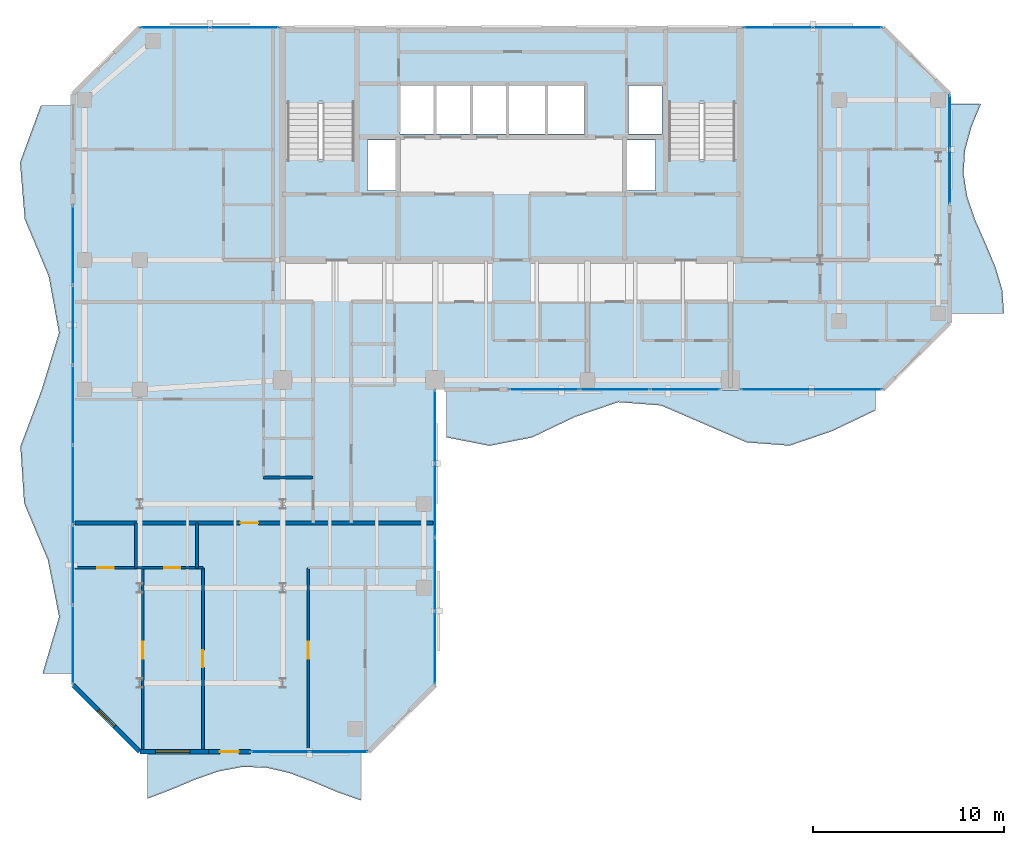
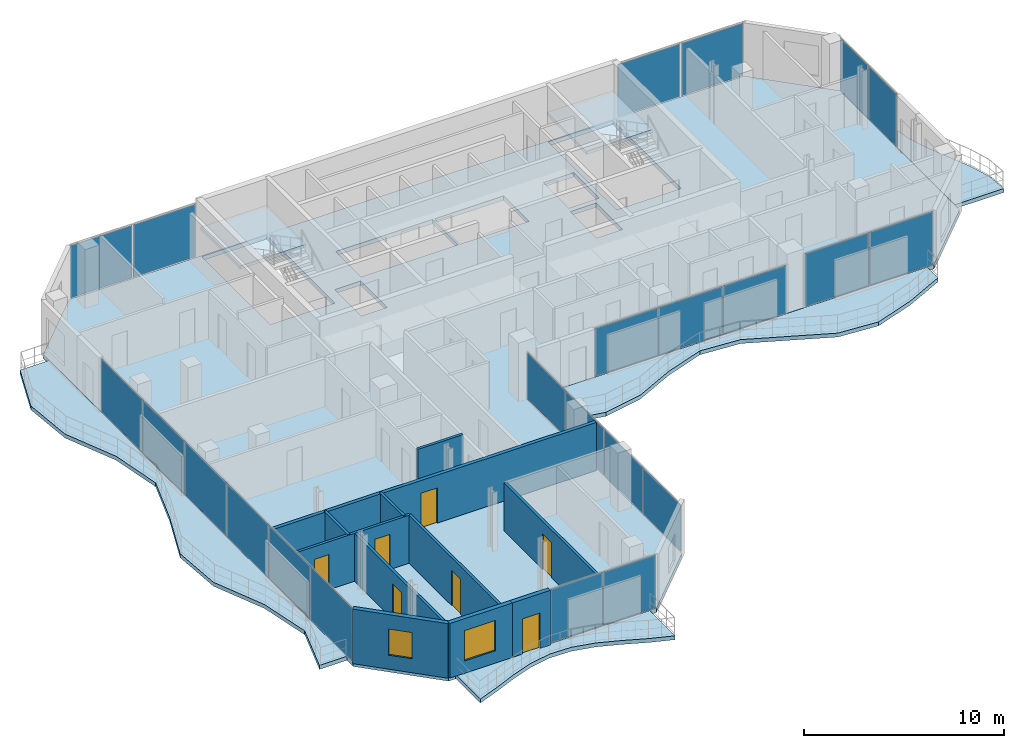
# One storey, part 17 of 24: 23 plates, 11 walls, 7 doors, 7 slabs, 2 windows, 9 openings, 10 elements without a shape of their own.
"""IFC4 building model written with IfcOpenShell, lengths in metres."""

from ifc_helpers import new_model, si_unit, direction, frame, frame_2d, origin, origin_2d, place, context, subcontext, project, spatial, polyline, rectangle, outline, extrude, material, layer, layer_set, type_object, element, fill, aggregate, save


model = new_model("IFC4")

# Units and contexts
model_context = context("Model", 3, precision=1e-05, world=origin(), true_north=direction((0.0, 1.0)))
body_context = subcontext(model_context, "Body", "Model", "MODEL_VIEW")
ifc_project = project(units=[si_unit("LENGTHUNIT", "METRE"), si_unit("AREAUNIT", "SQUARE_METRE"), si_unit("VOLUMEUNIT", "CUBIC_METRE"), si_unit("PLANEANGLEUNIT", "RADIAN"), si_unit("MASSUNIT", "GRAM", prefix="KILO")], contexts=[model_context])

# Site, building, storey
site_placement = place(None, origin())
site = spatial("IfcSite", under=ifc_project, at=site_placement, CompositionType="ELEMENT")
building_placement = place(site_placement, origin())
building = spatial("IfcBuilding", under=site, at=building_placement, Name="Catumbela Crestline Tower", CompositionType="ELEMENT")
storey_placement = place(building_placement, frame((0.0, 0.0, 157.8)))
storey = spatial("IfcBuildingStorey", under=building, at=storey_placement, Name="L40", CompositionType="ELEMENT", Elevation=157.8)

# Curtain wall, plates
ifc_material_1 = material(Name="Aluminium alloy AW-6060-T66", Category="aluminium")
ifc_layer_1 = layer(ifc_material_1, 0.18, Name="Aluminium alloy AW-6060-T66")
ifc_layer_set_1 = layer_set([ifc_layer_1], Name="Aluminium alloy AW-6060-T66")
curtain_wall_type = type_object("IfcCurtainWallType", Name="CWU-Z3", PredefinedType="USERDEFINED", material=ifc_layer_set_1)
curtain_wall_1_placement = place(storey_placement, origin())
curtain_wall_1 = element("IfcCurtainWall", 1, at=curtain_wall_1_placement, inside=storey, type_object=curtain_wall_type, Name="L40 Unitised Curtain Wall CW-L40-E0S2", ObjectType="UNITISED", PredefinedType="USERDEFINED")
ifc_material_2 = material(Name="Low-E laminated solar-control double glazing", Category="glass")
ifc_layer_2 = layer(ifc_material_2, 0.036, Name="Low-E laminated solar-control double glazing")
ifc_layer_set_2 = layer_set([ifc_layer_2], Name="Low-E laminated solar-control double glazing")
plate_type = type_object("IfcPlateType", Name="PNL-GLZ-Z3", PredefinedType="CURTAIN_PANEL", material=ifc_layer_set_2)
plate_1_placement = place(storey_placement, frame((15.8662, 5.0, 0.06), z_axis=(0.0, 0.0, 1.0), x_axis=(1.0, 0.0, 0.0)))
plate_1 = element("IfcPlate", 2, at=plate_1_placement, type_object=plate_type, Name="CWU-Z3 panel 1.1", PredefinedType="CURTAIN_PANEL", context=body_context, shape_type="SweptSolid", body=[
    extrude(rectangle(XDim=3.0025, YDim=0.034, at=origin_2d()), origin(), (0.0, 0.0, 1.0), 3.21),
])
plate_2_placement = place(storey_placement, frame((18.9338, 5.0, 0.06), z_axis=(0.0, 0.0, 1.0), x_axis=(1.0, 0.0, 0.0)))
plate_2 = element("IfcPlate", 3, at=plate_2_placement, type_object=plate_type, Name="CWU-Z3 panel 2.1", PredefinedType="CURTAIN_PANEL", context=body_context, shape_type="SweptSolid", body=[
    extrude(rectangle(XDim=3.0025, YDim=0.034, at=origin_2d()), origin(), (0.0, 0.0, 1.0), 3.21),
])
aggregate(curtain_wall_1, [plate_1, plate_2])

curtain_wall_2_placement = place(storey_placement, origin())
curtain_wall_2 = element("IfcCurtainWall", 4, at=curtain_wall_2_placement, inside=storey, type_object=curtain_wall_type, Name="L40 Unitised Curtain Wall CW-L40-E2S1", ObjectType="UNITISED", PredefinedType="USERDEFINED")
plate_3_placement = place(storey_placement, frame((24.0, 10.4538, 0.06), z_axis=(0.0, 0.0, 1.0), x_axis=(0.0, 1.0, 0.0)))
plate_3 = element("IfcPlate", 5, at=plate_3_placement, type_object=plate_type, Name="CWU-Z3 panel 1.1", PredefinedType="CURTAIN_PANEL", context=body_context, shape_type="SweptSolid", body=[
    extrude(rectangle(XDim=3.7775, YDim=0.034, at=origin_2d()), origin(), (0.0, 0.0, 1.0), 2.81),
])
plate_4_placement = place(storey_placement, frame((24.0, 14.3125, 0.06), z_axis=(0.0, 0.0, 1.0), x_axis=(0.0, 1.0, 0.0)))
plate_4 = element("IfcPlate", 6, at=plate_4_placement, type_object=plate_type, Name="CWU-Z3 panel 2.1", PredefinedType="CURTAIN_PANEL", context=body_context, shape_type="SweptSolid", body=[
    extrude(rectangle(XDim=3.81, YDim=0.034, at=origin_2d()), origin(), (0.0, 0.0, 1.0), 2.81),
])
plate_5_placement = place(storey_placement, frame((24.0, 18.1875, 0.06), z_axis=(0.0, 0.0, 1.0), x_axis=(0.0, 1.0, 0.0)))
plate_5 = element("IfcPlate", 7, at=plate_5_placement, type_object=plate_type, Name="CWU-Z3 panel 3.1", PredefinedType="CURTAIN_PANEL", context=body_context, shape_type="SweptSolid", body=[
    extrude(rectangle(XDim=3.81, YDim=0.034, at=origin_2d()), origin(), (0.0, 0.0, 1.0), 2.81),
])
plate_6_placement = place(storey_placement, frame((24.0, 22.0462, 0.06), z_axis=(0.0, 0.0, 1.0), x_axis=(0.0, 1.0, 0.0)))
plate_6 = element("IfcPlate", 8, at=plate_6_placement, type_object=plate_type, Name="CWU-Z3 panel 4.1", PredefinedType="CURTAIN_PANEL", context=body_context, shape_type="SweptSolid", body=[
    extrude(rectangle(XDim=3.7775, YDim=0.034, at=origin_2d()), origin(), (0.0, 0.0, 1.0), 2.81),
])
aggregate(curtain_wall_2, [plate_3, plate_4, plate_5, plate_6])

curtain_wall_3_placement = place(storey_placement, origin())
curtain_wall_3 = element("IfcCurtainWall", 9, at=curtain_wall_3_placement, inside=storey, type_object=curtain_wall_type, Name="L40 Unitised Curtain Wall CW-L40-E3S2", ObjectType="UNITISED", PredefinedType="USERDEFINED")
plate_7_placement = place(storey_placement, frame((29.7246, 24.0, 0.06), z_axis=(0.0, 0.0, 1.0), x_axis=(1.0, 0.0, 0.0)))
plate_7 = element("IfcPlate", 10, at=plate_7_placement, type_object=plate_type, Name="CWU-Z3 panel 1.1", PredefinedType="CURTAIN_PANEL", context=body_context, shape_type="SweptSolid", body=[
    extrude(rectangle(XDim=3.6192, YDim=0.034, at=origin_2d()), origin(), (0.0, 0.0, 1.0), 2.89),
])
plate_8_placement = place(storey_placement, frame((33.425, 24.0, 0.06), z_axis=(0.0, 0.0, 1.0), x_axis=(1.0, 0.0, 0.0)))
plate_8 = element("IfcPlate", 11, at=plate_8_placement, type_object=plate_type, Name="CWU-Z3 panel 2.1", PredefinedType="CURTAIN_PANEL", context=body_context, shape_type="SweptSolid", body=[
    extrude(rectangle(XDim=3.6517, YDim=0.034, at=origin_2d()), origin(), (0.0, 0.0, 1.0), 2.89),
])
plate_9_placement = place(storey_placement, frame((37.1254, 24.0, 0.06), z_axis=(0.0, 0.0, 1.0), x_axis=(1.0, 0.0, 0.0)))
plate_9 = element("IfcPlate", 12, at=plate_9_placement, type_object=plate_type, Name="CWU-Z3 panel 3.1", PredefinedType="CURTAIN_PANEL", context=body_context, shape_type="SweptSolid", body=[
    extrude(rectangle(XDim=3.6192, YDim=0.034, at=origin_2d()), origin(), (0.0, 0.0, 1.0), 2.89),
])
aggregate(curtain_wall_3, [plate_7, plate_8, plate_9])

curtain_wall_4_placement = place(storey_placement, origin())
curtain_wall_4 = element("IfcCurtainWall", 13, at=curtain_wall_4_placement, inside=storey, type_object=curtain_wall_type, Name="L40 Unitised Curtain Wall CW-L40-E3S3", ObjectType="UNITISED", PredefinedType="USERDEFINED")
plate_10_placement = place(storey_placement, frame((41.8912, 24.0, 0.06), z_axis=(0.0, 0.0, 1.0), x_axis=(1.0, 0.0, 0.0)))
plate_10 = element("IfcPlate", 14, at=plate_10_placement, type_object=plate_type, Name="CWU-Z3 panel 1.1", PredefinedType="CURTAIN_PANEL", context=body_context, shape_type="SweptSolid", body=[
    extrude(rectangle(XDim=3.6525, YDim=0.034, at=origin_2d()), origin(), (0.0, 0.0, 1.0), 3.21),
])
plate_11_placement = place(storey_placement, frame((45.6088, 24.0, 0.06), z_axis=(0.0, 0.0, 1.0), x_axis=(1.0, 0.0, 0.0)))
plate_11 = element("IfcPlate", 15, at=plate_11_placement, type_object=plate_type, Name="CWU-Z3 panel 2.1", PredefinedType="CURTAIN_PANEL", context=body_context, shape_type="SweptSolid", body=[
    extrude(rectangle(XDim=3.6525, YDim=0.034, at=origin_2d()), origin(), (0.0, 0.0, 1.0), 3.21),
])
aggregate(curtain_wall_4, [plate_10, plate_11])

curtain_wall_5_placement = place(storey_placement, origin())
curtain_wall_5 = element("IfcCurtainWall", 16, at=curtain_wall_5_placement, inside=storey, type_object=curtain_wall_type, Name="L40 Unitised Curtain Wall CW-L40-E5S2", ObjectType="UNITISED", PredefinedType="USERDEFINED")
plate_12_placement = place(storey_placement, frame((51.0, 35.1662, 0.06), z_axis=(0.0, 0.0, 1.0), x_axis=(0.0, 1.0, 0.0)))
plate_12 = element("IfcPlate", 17, at=plate_12_placement, type_object=plate_type, Name="CWU-Z3 panel 1.1", PredefinedType="CURTAIN_PANEL", context=body_context, shape_type="SweptSolid", body=[
    extrude(rectangle(XDim=2.8025, YDim=0.034, at=origin_2d()), origin(), (0.0, 0.0, 1.0), 3.21),
])
plate_13_placement = place(storey_placement, frame((51.0, 38.0338, 0.06), z_axis=(0.0, 0.0, 1.0), x_axis=(0.0, 1.0, 0.0)))
plate_13 = element("IfcPlate", 18, at=plate_13_placement, type_object=plate_type, Name="CWU-Z3 panel 2.1", PredefinedType="CURTAIN_PANEL", context=body_context, shape_type="SweptSolid", body=[
    extrude(rectangle(XDim=2.8025, YDim=0.034, at=origin_2d()), origin(), (0.0, 0.0, 1.0), 3.21),
])
aggregate(curtain_wall_5, [plate_12, plate_13])

curtain_wall_6_placement = place(storey_placement, origin())
curtain_wall_6 = element("IfcCurtainWall", 19, at=curtain_wall_6_placement, inside=storey, type_object=curtain_wall_type, Name="L40 Unitised Curtain Wall CW-L40-E7S1", ObjectType="UNITISED", PredefinedType="USERDEFINED")
plate_14_placement = place(storey_placement, frame((45.6438, 43.0, 0.06), z_axis=(0.0, 0.0, 1.0), x_axis=(-1.0, 0.0, 0.0)))
plate_14 = element("IfcPlate", 20, at=plate_14_placement, type_object=plate_type, Name="CWU-Z3 panel 1.1", PredefinedType="CURTAIN_PANEL", context=body_context, shape_type="SweptSolid", body=[
    extrude(rectangle(XDim=3.5825, YDim=0.034, at=origin_2d()), origin(), (0.0, 0.0, 1.0), 3.21),
])
plate_15_placement = place(storey_placement, frame((41.9963, 43.0, 0.06), z_axis=(0.0, 0.0, 1.0), x_axis=(-1.0, 0.0, 0.0)))
plate_15 = element("IfcPlate", 21, at=plate_15_placement, type_object=plate_type, Name="CWU-Z3 panel 2.1", PredefinedType="CURTAIN_PANEL", context=body_context, shape_type="SweptSolid", body=[
    extrude(rectangle(XDim=3.5825, YDim=0.034, at=origin_2d()), origin(), (0.0, 0.0, 1.0), 3.21),
])
aggregate(curtain_wall_6, [plate_14, plate_15])

curtain_wall_7_placement = place(storey_placement, origin())
curtain_wall_7 = element("IfcCurtainWall", 22, at=curtain_wall_7_placement, inside=storey, type_object=curtain_wall_type, Name="L40 Unitised Curtain Wall CW-L40-E7S2", ObjectType="UNITISED", PredefinedType="USERDEFINED")
plate_16_placement = place(storey_placement, frame((14.0038, 43.0, 0.06), z_axis=(0.0, 0.0, 1.0), x_axis=(-1.0, 0.0, 0.0)))
plate_16 = element("IfcPlate", 23, at=plate_16_placement, type_object=plate_type, Name="CWU-Z3 panel 1.1", PredefinedType="CURTAIN_PANEL", context=body_context, shape_type="SweptSolid", body=[
    extrude(rectangle(XDim=3.5825, YDim=0.034, at=origin_2d()), origin(), (0.0, 0.0, 1.0), 3.21),
])
plate_17_placement = place(storey_placement, frame((10.3562, 43.0, 0.06), z_axis=(0.0, 0.0, 1.0), x_axis=(-1.0, 0.0, 0.0)))
plate_17 = element("IfcPlate", 24, at=plate_17_placement, type_object=plate_type, Name="CWU-Z3 panel 2.1", PredefinedType="CURTAIN_PANEL", context=body_context, shape_type="SweptSolid", body=[
    extrude(rectangle(XDim=3.5825, YDim=0.034, at=origin_2d()), origin(), (0.0, 0.0, 1.0), 3.21),
])
aggregate(curtain_wall_7, [plate_16, plate_17])

curtain_wall_8_placement = place(storey_placement, origin())
curtain_wall_8 = element("IfcCurtainWall", 25, at=curtain_wall_8_placement, inside=storey, type_object=curtain_wall_type, Name="L40 Unitised Curtain Wall CW-L40-E9S2", ObjectType="UNITISED", PredefinedType="USERDEFINED")
plate_18_placement = place(storey_placement, frame((5.0, 31.5838, 0.06), z_axis=(0.0, 0.0, 1.0), x_axis=(0.0, -1.0, 0.0)))
plate_18 = element("IfcPlate", 26, at=plate_18_placement, type_object=plate_type, Name="CWU-Z3 panel 1.1", PredefinedType="CURTAIN_PANEL", context=body_context, shape_type="SweptSolid", body=[
    extrude(rectangle(XDim=4.1025, YDim=0.034, at=origin_2d()), origin(), (0.0, 0.0, 1.0), 3.21),
])
plate_19_placement = place(storey_placement, frame((5.0, 27.4, 0.06), z_axis=(0.0, 0.0, 1.0), x_axis=(0.0, -1.0, 0.0)))
plate_19 = element("IfcPlate", 27, at=plate_19_placement, type_object=plate_type, Name="CWU-Z3 panel 2.1", PredefinedType="CURTAIN_PANEL", context=body_context, shape_type="SweptSolid", body=[
    extrude(rectangle(XDim=4.135, YDim=0.034, at=origin_2d()), origin(), (0.0, 0.0, 1.0), 3.21),
])
plate_20_placement = place(storey_placement, frame((5.0, 23.2, 0.06), z_axis=(0.0, 0.0, 1.0), x_axis=(0.0, -1.0, 0.0)))
plate_20 = element("IfcPlate", 28, at=plate_20_placement, type_object=plate_type, Name="CWU-Z3 panel 3.1", PredefinedType="CURTAIN_PANEL", context=body_context, shape_type="SweptSolid", body=[
    extrude(rectangle(XDim=4.135, YDim=0.034, at=origin_2d()), origin(), (0.0, 0.0, 1.0), 3.21),
])
plate_21_placement = place(storey_placement, frame((5.0, 19.0, 0.06), z_axis=(0.0, 0.0, 1.0), x_axis=(0.0, -1.0, 0.0)))
plate_21 = element("IfcPlate", 29, at=plate_21_placement, type_object=plate_type, Name="CWU-Z3 panel 4.1", PredefinedType="CURTAIN_PANEL", context=body_context, shape_type="SweptSolid", body=[
    extrude(rectangle(XDim=4.135, YDim=0.034, at=origin_2d()), origin(), (0.0, 0.0, 1.0), 3.21),
])
plate_22_placement = place(storey_placement, frame((5.0, 14.8, 0.06), z_axis=(0.0, 0.0, 1.0), x_axis=(0.0, -1.0, 0.0)))
plate_22 = element("IfcPlate", 30, at=plate_22_placement, type_object=plate_type, Name="CWU-Z3 panel 5.1", PredefinedType="CURTAIN_PANEL", context=body_context, shape_type="SweptSolid", body=[
    extrude(rectangle(XDim=4.135, YDim=0.034, at=origin_2d()), origin(), (0.0, 0.0, 1.0), 3.21),
])
plate_23_placement = place(storey_placement, frame((5.0, 10.6163, 0.06), z_axis=(0.0, 0.0, 1.0), x_axis=(0.0, -1.0, 0.0)))
plate_23 = element("IfcPlate", 31, at=plate_23_placement, type_object=plate_type, Name="CWU-Z3 panel 6.1", PredefinedType="CURTAIN_PANEL", context=body_context, shape_type="SweptSolid", body=[
    extrude(rectangle(XDim=4.1025, YDim=0.034, at=origin_2d()), origin(), (0.0, 0.0, 1.0), 3.21),
])
aggregate(curtain_wall_8, [plate_18, plate_19, plate_20, plate_21, plate_22, plate_23])

# Stair, slab
ifc_material_3 = material(Name="Concrete C45/55", Category="concrete")
stair_type = type_object("IfcStairType", Name="ST-DLG", PredefinedType="HALF_TURN_STAIR", material=ifc_material_3)
stair_1_placement = place(storey_placement, origin())
stair_1 = element("IfcStair", 32, at=stair_1_placement, inside=storey, type_object=stair_type, Name="L40 West Core Pressurised Exit Stair ST-01", PredefinedType="HALF_TURN_STAIR")
ifc_layer_3 = layer(ifc_material_3, 0.2, Name="Concrete C45/55")
ifc_layer_set_3 = layer_set([ifc_layer_3], Name="Concrete C45/55")
slab_type_1 = type_object("IfcSlabType", Name="SL-LND", PredefinedType="LANDING", material=ifc_layer_set_3)
slab_1_placement = place(storey_placement, frame((0.0, 0.0, 1.6)))
slab_1 = element("IfcSlab", 33, at=slab_1_placement, type_object=slab_type_1, Name="ST-01 landing 1", PredefinedType="LANDING", context=body_context, shape_type="SweptSolid", body=[
    extrude(outline(polyline([(19.91, 39.02), (19.91, 42.96), (16.09, 42.96), (16.09, 39.02), (19.91, 39.02)])), origin(), (0.0, 0.0, 1.0), 0.2),
])
aggregate(stair_1, [slab_1])

stair_2_placement = place(storey_placement, origin())
stair_2 = element("IfcStair", 34, at=stair_2_placement, inside=storey, type_object=stair_type, Name="L40 East Core Pressurised Exit Stair ST-02", PredefinedType="HALF_TURN_STAIR")
slab_2_placement = place(storey_placement, frame((0.0, 0.0, 1.6)))
slab_2 = element("IfcSlab", 35, at=slab_2_placement, type_object=slab_type_1, Name="ST-02 landing 1", PredefinedType="LANDING", context=body_context, shape_type="SweptSolid", body=[
    extrude(outline(polyline([(39.91, 39.02), (39.91, 42.96), (36.09, 42.96), (36.09, 39.02), (39.91, 39.02)])), origin(), (0.0, 0.0, 1.0), 0.2),
])
aggregate(stair_2, [slab_2])

# Slabs
ifc_layer_4 = layer(ifc_material_3, 0.26, Name="Concrete C45/55")
ifc_layer_set_4 = layer_set([ifc_layer_4], Name="Concrete C45/55")
slab_type_2 = type_object("IfcSlabType", Name="SL-260", PredefinedType="FLOOR", material=ifc_layer_set_4)
slab_3_placement = place(storey_placement, frame((0.0, 0.0, -0.26)))
element("IfcSlab", 36, at=slab_3_placement, inside=storey, type_object=slab_type_2, Name="L40 Structural Floor Slab", PredefinedType="FLOOR", context=body_context, shape_type="SweptSolid", body=[
    extrude(outline(polyline([(8.5, 5.0), (20.5, 5.0), (24.0, 8.5), (24.0, 24.0), (47.5, 24.0), (51.0, 27.5), (51.0, 39.5), (47.5, 43.0), (8.5, 43.0), (5.0, 39.5), (5.0, 8.5), (8.5, 5.0)]), holes=[polyline([(16.13, 36.08), (19.87, 36.08), (19.87, 42.92), (16.13, 42.92), (16.13, 36.08)]), polyline([(36.13, 36.08), (39.87, 36.08), (39.87, 42.92), (36.13, 42.92), (36.13, 36.08)]), polyline([(22.15, 37.4), (27.75, 37.4), (27.75, 39.95), (22.15, 39.95), (22.15, 37.4)]), polyline([(27.85, 37.4), (31.85, 37.4), (31.85, 39.95), (27.85, 39.95), (27.85, 37.4)]), polyline([(20.45, 34.45), (21.95, 34.45), (21.95, 37.1), (20.45, 37.1), (20.45, 34.45)]), polyline([(34.05, 34.45), (35.55, 34.45), (35.55, 37.1), (34.05, 37.1), (34.05, 34.45)]), polyline([(34.15, 37.4), (35.9, 37.4), (35.9, 39.95), (34.15, 39.95), (34.15, 37.4)])]), origin(), (0.0, 0.0, 1.0), 0.26),
])
ifc_layer_5 = layer(ifc_material_3, 0.24, Name="Concrete C45/55")
ifc_layer_set_5 = layer_set([ifc_layer_5], Name="Concrete C45/55")
slab_type_3 = type_object("IfcSlabType", Name="SB-240W", PredefinedType="USERDEFINED", material=ifc_layer_set_5)
slab_4_placement = place(storey_placement, frame((0.0, 0.0, -0.24)))
element("IfcSlab", 37, at=slab_4_placement, inside=storey, type_object=slab_type_3, Name="L40 Cantilevered Wave Balcony Slab SPINE-S", ObjectType="BALCONY", PredefinedType="USERDEFINED", context=body_context, shape_type="SweptSolid", body=[
    extrude(outline(polyline([(24.6, 21.4947), (26.85, 21.05), (29.1, 21.4947), (31.35, 22.5708), (33.6, 23.3413), (35.85, 23.1708), (38.1, 22.2), (40.35, 21.2292), (42.6, 21.0587), (44.85, 21.8292), (47.1, 22.9053), (47.1, 23.99), (24.6, 23.99), (24.6, 21.4947)])), origin(), (0.0, 0.0, 1.0), 0.24),
])
slab_5_placement = place(storey_placement, frame((0.0, 0.0, -0.24)))
element("IfcSlab", 38, at=slab_5_placement, inside=storey, type_object=slab_type_3, Name="L40 Cantilevered Wave Balcony Slab SPINE-E", ObjectType="BALCONY", PredefinedType="USERDEFINED", context=body_context, shape_type="SweptSolid", body=[
    extrude(outline(polyline([(51.01, 28.0), (53.85, 28.0), (53.7631, 29.2222), (53.4003, 30.4444), (52.8835, 31.6667), (52.3453, 32.8889), (51.9237, 34.1111), (51.7268, 35.3333), (51.8051, 36.5556), (52.1386, 37.7778), (52.6416, 39.0), (51.01, 39.0), (51.01, 28.0)])), origin(), (0.0, 0.0, 1.0), 0.24),
])
slab_6_placement = place(storey_placement, frame((0.0, 0.0, -0.24)))
element("IfcSlab", 39, at=slab_6_placement, inside=storey, type_object=slab_type_3, Name="L40 Cantilevered Wave Balcony Slab WING-S", ObjectType="BALCONY", PredefinedType="USERDEFINED", context=body_context, shape_type="SweptSolid", body=[
    extrude(outline(polyline([(8.9, 2.5326), (10.1444, 3.0054), (11.3889, 3.5298), (12.6333, 3.9667), (13.8778, 4.1999), (15.1222, 4.1675), (16.3667, 3.8781), (17.6111, 3.4086), (18.8556, 2.8837), (20.1, 2.4428), (20.1, 4.99), (8.9, 4.99), (8.9, 2.5326)])), origin(), (0.0, 0.0, 1.0), 0.24),
])
slab_7_placement = place(storey_placement, frame((0.0, 0.0, -0.24)))
element("IfcSlab", 40, at=slab_7_placement, inside=storey, type_object=slab_type_3, Name="L40 Cantilevered Wave Balcony Slab WEST", ObjectType="BALCONY", PredefinedType="USERDEFINED", context=body_context, shape_type="SweptSolid", body=[
    extrude(outline(polyline([(4.99, 38.9), (3.311, 38.9), (2.2163, 35.92), (2.4654, 32.94), (3.718, 29.96), (4.263, 26.98), (3.3559, 24.0), (2.2358, 21.02), (2.4329, 18.04), (3.6779, 15.06), (4.2701, 12.08), (3.4005, 9.1), (4.99, 9.1), (4.99, 38.9)])), origin(), (0.0, 0.0, 1.0), 0.24),
])

# Wall, opening, door
ifc_material_4 = material(Name="Angolan grey-ochre granite", Category="masonry")
ifc_layer_6 = layer(ifc_material_4, 0.25, Name="Angolan grey-ochre granite")
ifc_layer_set_6 = layer_set([ifc_layer_6], Name="Angolan grey-ochre granite")
wall_type_1 = type_object("IfcWallType", Name="WE-250", PredefinedType="STANDARD", material=ifc_layer_set_6)
wall_1_placement = place(storey_placement, frame((12.1, 5.0, 0.0), z_axis=(0.0, 0.0, 1.0), x_axis=(1.0, 0.0, 0.0)))
wall_1 = element("IfcWall", 41, at=wall_1_placement, inside=storey, type_object=wall_type_1, Name="L40 Exterior Threshold Portal Wall DR-L40-WBAL-3", PredefinedType="STANDARD", context=body_context, shape_type="SweptSolid", body=[
    extrude(rectangle(XDim=2.2, YDim=0.25, at=frame_2d((1.1, 0.0))), origin(), (0.0, 0.0, 1.0), 3.33),
])
opening_1_placement = place(wall_1_placement, frame((0.6, 0.0, 0.0)))
opening_1 = element("IfcOpeningElement", 42, at=opening_1_placement, cuts=wall_1, Name="Opening DB-L40-3", PredefinedType="OPENING", context=body_context, shape_type="SweptSolid", body=[
    extrude(rectangle(XDim=1.0, YDim=2.15, at=frame_2d((0.5, 1.075))), frame((0.0, 0.135, 0.0), z_axis=(0.0, -1.0, 0.0), x_axis=(1.0, 0.0, 0.0)), (0.0, 0.0, 1.0), 0.27),
])
door_type_1 = type_object("IfcDoorType", Name="DB-1000", OperationType="NOTDEFINED", PredefinedType="DOOR", material=ifc_material_1)
door_1_placement = place(opening_1_placement, origin())
door_1 = element("IfcDoor", 43, at=door_1_placement, inside=storey, type_object=door_type_1, Name="L40 Wave Balcony Terrace Door 3", OperationType="SINGLE_SWING_RIGHT", OverallHeight=2.15, OverallWidth=1.0, PredefinedType="DOOR", context=body_context, shape_type="SweptSolid", body=[
    extrude(rectangle(XDim=1.0, YDim=2.15, at=frame_2d((0.5, 1.075))), frame((0.0, 0.025, 0.0), z_axis=(0.0, -1.0, 0.0), x_axis=(1.0, 0.0, 0.0)), (0.0, 0.0, 1.0), 0.05),
])
fill(opening_1, door_1)

# Wall, opening, window
wall_2_placement = place(storey_placement, frame((8.5, 5.0, 0.0), z_axis=(0.0, 0.0, 1.0), x_axis=(1.0, 0.0, 0.0)))
wall_2 = element("IfcWall", 44, at=wall_2_placement, inside=storey, type_object=wall_type_1, Name="L40 Granite Punched Window Wall 0-1", PredefinedType="STANDARD", context=body_context, shape_type="SweptSolid", body=[
    extrude(rectangle(XDim=3.6, YDim=0.25, at=frame_2d((1.8, 0.0))), origin(), (0.0, 0.0, 1.0), 3.33),
])
opening_2_placement = place(wall_2_placement, frame((0.835, 0.0, 0.75)))
opening_2 = element("IfcOpeningElement", 45, at=opening_2_placement, cuts=wall_2, Name="Opening WN-01", PredefinedType="OPENING", context=body_context, shape_type="SweptSolid", body=[
    extrude(rectangle(XDim=1.8, YDim=1.85, at=frame_2d((0.9, 0.925))), frame((0.0, 0.135, 0.0), z_axis=(0.0, -1.0, 0.0), x_axis=(1.0, 0.0, 0.0)), (0.0, 0.0, 1.0), 0.27),
])
window_type_1 = type_object("IfcWindowType", Name="WF-1800", PartitioningType="SINGLE_PANEL", PredefinedType="WINDOW", material=ifc_material_2)
window_1_placement = place(opening_2_placement, origin())
window_1 = element("IfcWindow", 46, at=window_1_placement, inside=storey, type_object=window_type_1, Name="L40 Facade Vision Window 225", OverallHeight=1.85, OverallWidth=1.8, PartitioningType="SINGLE_PANEL", PredefinedType="WINDOW", context=body_context, shape_type="SweptSolid", body=[
    extrude(rectangle(XDim=1.8, YDim=1.85, at=frame_2d((0.9, 0.925))), frame((0.0, 0.03, 0.0), z_axis=(0.0, -1.0, 0.0), x_axis=(1.0, 0.0, 0.0)), (0.0, 0.0, 1.0), 0.06),
])
fill(opening_2, window_1)

wall_3_placement = place(storey_placement, frame((5.0, 8.5, 0.0), z_axis=(0.0, 0.0, 1.0), x_axis=(0.707106781187, -0.707106781187, 0.0)))
wall_3 = element("IfcWall", 47, at=wall_3_placement, inside=storey, type_object=wall_type_1, Name="L40 Granite Punched Window Wall 10-1", PredefinedType="STANDARD", context=body_context, shape_type="SweptSolid", body=[
    extrude(rectangle(XDim=4.9497, YDim=0.25, at=frame_2d((2.4748, 0.0))), origin(), (0.0, 0.0, 1.0), 3.33),
])
opening_3_placement = place(wall_3_placement, frame((1.8748, 0.0, 0.85)))
opening_3 = element("IfcOpeningElement", 48, at=opening_3_placement, cuts=wall_3, Name="Opening WN-02", PredefinedType="OPENING", context=body_context, shape_type="SweptSolid", body=[
    extrude(rectangle(XDim=1.2, YDim=1.6, at=frame_2d((0.6, 0.8))), frame((0.0, 0.135, 0.0), z_axis=(0.0, -1.0, 0.0), x_axis=(1.0, 0.0, 0.0)), (0.0, 0.0, 1.0), 0.27),
])
window_type_2 = type_object("IfcWindowType", Name="WO-1200", PartitioningType="SINGLE_PANEL", PredefinedType="WINDOW", material=ifc_material_2)
window_2_placement = place(opening_3_placement, origin())
window_2 = element("IfcWindow", 49, at=window_2_placement, inside=storey, type_object=window_type_2, Name="L40 Facade Vision Window 232", OverallHeight=1.6, OverallWidth=1.2, PartitioningType="SINGLE_PANEL", PredefinedType="WINDOW", context=body_context, shape_type="SweptSolid", body=[
    extrude(rectangle(XDim=1.2, YDim=1.6, at=frame_2d((0.6, 0.8))), frame((0.0, 0.03, 0.0), z_axis=(0.0, -1.0, 0.0), x_axis=(1.0, 0.0, 0.0)), (0.0, 0.0, 1.0), 0.06),
])
fill(opening_3, window_2)

# Walls
ifc_material_5 = material(Name="Acoustic gypsum and mineral-wool partition")
ifc_layer_7 = layer(ifc_material_5, 0.15, Name="Acoustic gypsum and mineral-wool partition")
ifc_layer_set_7 = layer_set([ifc_layer_7], Name="Acoustic gypsum and mineral-wool partition")
wall_type_2 = type_object("IfcWallType", Name="WP-150", PredefinedType="PARTITIONING", material=ifc_layer_set_7)
wall_4_placement = place(storey_placement, frame((15.0, 19.396, 0.0), z_axis=(0.0, 0.0, 1.0), x_axis=(1.0, 0.0, 0.0)))
element("IfcWall", 50, at=wall_4_placement, inside=storey, type_object=wall_type_2, Name="L40 Interior Partition PW-L40-WL1-KBS", PredefinedType="PARTITIONING", context=body_context, shape_type="SweptSolid", body=[
    extrude(rectangle(XDim=2.6, YDim=0.15, at=frame_2d((1.3, 0.0))), origin(), (0.0, 0.0, 1.0), 2.93),
])
wall_5_placement = place(storey_placement, frame((11.5, 14.65, 0.0), z_axis=(0.0, 0.0, 1.0), x_axis=(0.0, 1.0, 0.0)))
element("IfcWall", 51, at=wall_5_placement, inside=storey, type_object=wall_type_2, Name="L40 Interior Partition PW-L40-SH1-KBE", PredefinedType="PARTITIONING", context=body_context, shape_type="SweptSolid", body=[
    extrude(rectangle(XDim=2.35, YDim=0.15, at=frame_2d((1.175, 0.0))), origin(), (0.0, 0.0, 1.0), 2.96),
])
wall_6_placement = place(storey_placement, frame((8.3, 14.65, 0.0), z_axis=(0.0, 0.0, 1.0), x_axis=(0.0, 1.0, 0.0)))
element("IfcWall", 52, at=wall_6_placement, inside=storey, type_object=wall_type_2, Name="L40 Interior Partition PW-L40-SH1-KBM", PredefinedType="PARTITIONING", context=body_context, shape_type="SweptSolid", body=[
    extrude(rectangle(XDim=2.35, YDim=0.15, at=frame_2d((1.175, 0.0))), origin(), (0.0, 0.0, 1.0), 2.93),
])

# Wall, openings, doors
wall_7_placement = place(storey_placement, frame((5.1, 14.65, 0.0), z_axis=(0.0, 0.0, 1.0), x_axis=(1.0, 0.0, 0.0)))
wall_7 = element("IfcWall", 53, at=wall_7_placement, inside=storey, type_object=wall_type_2, Name="L40 Interior Partition PW-L40-SH1-KBD1", PredefinedType="PARTITIONING", context=body_context, shape_type="SweptSolid", body=[
    extrude(rectangle(XDim=6.71, YDim=0.15, at=frame_2d((3.355, 0.0))), origin(), (0.0, 0.0, 1.0), 2.93),
])
opening_4_placement = place(wall_7_placement, frame((1.175, 0.0, 0.0)))
opening_4 = element("IfcOpeningElement", 54, at=opening_4_placement, cuts=wall_7, Name="Opening DI-085", PredefinedType="OPENING", context=body_context, shape_type="SweptSolid", body=[
    extrude(rectangle(XDim=0.85, YDim=2.15, at=frame_2d((0.425, 1.075))), frame((0.0, 0.085, 0.0), z_axis=(0.0, -1.0, 0.0), x_axis=(1.0, 0.0, 0.0)), (0.0, 0.0, 1.0), 0.17),
])
opening_5_placement = place(wall_7_placement, frame((4.6795, 0.0, 0.0)))
opening_5 = element("IfcOpeningElement", 55, at=opening_5_placement, cuts=wall_7, Name="Opening DI-085", PredefinedType="OPENING", context=body_context, shape_type="SweptSolid", body=[
    extrude(rectangle(XDim=0.85, YDim=2.15, at=frame_2d((0.425, 1.075))), frame((0.0, 0.085, 0.0), z_axis=(0.0, -1.0, 0.0), x_axis=(1.0, 0.0, 0.0)), (0.0, 0.0, 1.0), 0.17),
])
door_type_2 = type_object("IfcDoorType", Name="DI-085", OperationType="NOTDEFINED", PredefinedType="DOOR", material=ifc_material_1)
door_2_placement = place(opening_4_placement, origin())
door_2 = element("IfcDoor", 56, at=door_2_placement, inside=storey, type_object=door_type_2, Name="L40 Interior Door DR-L40-SH1-KIT", OperationType="SINGLE_SWING_LEFT", OverallHeight=2.15, OverallWidth=0.85, PredefinedType="DOOR", context=body_context, shape_type="SweptSolid", body=[
    extrude(rectangle(XDim=0.85, YDim=2.15, at=frame_2d((0.425, 1.075))), frame((0.0, 0.025, 0.0), z_axis=(0.0, -1.0, 0.0), x_axis=(1.0, 0.0, 0.0)), (0.0, 0.0, 1.0), 0.05),
])
fill(opening_4, door_2)
door_3_placement = place(opening_5_placement, origin())
door_3 = element("IfcDoor", 57, at=door_3_placement, inside=storey, type_object=door_type_2, Name="L40 Interior Door DR-L40-SH1-BTH", OperationType="SINGLE_SWING_RIGHT", OverallHeight=2.15, OverallWidth=0.85, PredefinedType="DOOR", context=body_context, shape_type="SweptSolid", body=[
    extrude(rectangle(XDim=0.85, YDim=2.15, at=frame_2d((0.425, 1.075))), frame((0.0, 0.025, 0.0), z_axis=(0.0, -1.0, 0.0), x_axis=(1.0, 0.0, 0.0)), (0.0, 0.0, 1.0), 0.05),
])
fill(opening_5, door_3)

# Wall, opening, door
wall_8_placement = place(storey_placement, frame((8.66, 5.1, 0.0), z_axis=(0.0, 0.0, 1.0), x_axis=(0.0, 1.0, 0.0)))
wall_8 = element("IfcWall", 58, at=wall_8_placement, inside=storey, type_object=wall_type_2, Name="L40 Interior Partition PW-L40-SH1-BDL", PredefinedType="PARTITIONING", context=body_context, shape_type="SweptSolid", body=[
    extrude(rectangle(XDim=9.55, YDim=0.15, at=frame_2d((4.775, 0.0))), origin(), (0.0, 0.0, 1.0), 2.93),
])
opening_6_placement = place(wall_8_placement, frame((4.7789, 0.0, 0.0)))
opening_6 = element("IfcOpeningElement", 59, at=opening_6_placement, cuts=wall_8, Name="Opening DI-090", PredefinedType="OPENING", context=body_context, shape_type="SweptSolid", body=[
    extrude(rectangle(XDim=0.9, YDim=2.15, at=frame_2d((0.45, 1.075))), frame((0.0, 0.085, 0.0), z_axis=(0.0, -1.0, 0.0), x_axis=(1.0, 0.0, 0.0)), (0.0, 0.0, 1.0), 0.17),
])
door_type_3 = type_object("IfcDoorType", Name="DI-090", OperationType="NOTDEFINED", PredefinedType="DOOR", material=ifc_material_1)
door_4_placement = place(opening_6_placement, origin())
door_4 = element("IfcDoor", 60, at=door_4_placement, inside=storey, type_object=door_type_3, Name="L40 Interior Door DR-L40-SH1-BD1", OperationType="SINGLE_SWING_LEFT", OverallHeight=2.15, OverallWidth=0.9, PredefinedType="DOOR", context=body_context, shape_type="SweptSolid", body=[
    extrude(rectangle(XDim=0.9, YDim=2.15, at=frame_2d((0.45, 1.075))), frame((0.0, 0.025, 0.0), z_axis=(0.0, -1.0, 0.0), x_axis=(1.0, 0.0, 0.0)), (0.0, 0.0, 1.0), 0.05),
])
fill(opening_6, door_4)

wall_9_placement = place(storey_placement, frame((17.34, 5.1, 0.0), z_axis=(0.0, 0.0, 1.0), x_axis=(0.0, 1.0, 0.0)))
wall_9 = element("IfcWall", 61, at=wall_9_placement, inside=storey, type_object=wall_type_2, Name="L40 Interior Partition PW-L40-SH1-STW", PredefinedType="PARTITIONING", context=body_context, shape_type="SweptSolid", body=[
    extrude(rectangle(XDim=9.55, YDim=0.15, at=frame_2d((4.775, 0.0))), origin(), (0.0, 0.0, 1.0), 2.93),
])
opening_7_placement = place(wall_9_placement, frame((4.7789, 0.0, 0.0)))
opening_7 = element("IfcOpeningElement", 62, at=opening_7_placement, cuts=wall_9, Name="Opening DI-090", PredefinedType="OPENING", context=body_context, shape_type="SweptSolid", body=[
    extrude(rectangle(XDim=0.9, YDim=2.15, at=frame_2d((0.45, 1.075))), frame((0.0, 0.085, 0.0), z_axis=(0.0, -1.0, 0.0), x_axis=(1.0, 0.0, 0.0)), (0.0, 0.0, 1.0), 0.17),
])
door_5_placement = place(opening_7_placement, origin())
door_5 = element("IfcDoor", 63, at=door_5_placement, inside=storey, type_object=door_type_3, Name="L40 Interior Door DR-L40-SH1-STDY", OperationType="SINGLE_SWING_RIGHT", OverallHeight=2.15, OverallWidth=0.9, PredefinedType="DOOR", context=body_context, shape_type="SweptSolid", body=[
    extrude(rectangle(XDim=0.9, YDim=2.15, at=frame_2d((0.45, 1.075))), frame((0.0, 0.025, 0.0), z_axis=(0.0, -1.0, 0.0), x_axis=(1.0, 0.0, 0.0)), (0.0, 0.0, 1.0), 0.05),
])
fill(opening_7, door_5)

wall_10_placement = place(storey_placement, frame((11.81, 5.1, 0.0), z_axis=(0.0, 0.0, 1.0), x_axis=(0.0, 1.0, 0.0)))
wall_10 = element("IfcWall", 64, at=wall_10_placement, inside=storey, type_object=wall_type_2, Name="L40 Interior Partition PW-L40-SH1-DNW", PredefinedType="PARTITIONING", context=body_context, shape_type="SweptSolid", body=[
    extrude(rectangle(XDim=9.55, YDim=0.15, at=frame_2d((4.775, 0.0))), origin(), (0.0, 0.0, 1.0), 2.93),
])
opening_8_placement = place(wall_10_placement, frame((4.325, 0.0, 0.0)))
opening_8 = element("IfcOpeningElement", 65, at=opening_8_placement, cuts=wall_10, Name="Opening DI-090", PredefinedType="OPENING", context=body_context, shape_type="SweptSolid", body=[
    extrude(rectangle(XDim=0.9, YDim=2.15, at=frame_2d((0.45, 1.075))), frame((0.0, 0.085, 0.0), z_axis=(0.0, -1.0, 0.0), x_axis=(1.0, 0.0, 0.0)), (0.0, 0.0, 1.0), 0.17),
])
door_6_placement = place(opening_8_placement, origin())
door_6 = element("IfcDoor", 66, at=door_6_placement, inside=storey, type_object=door_type_3, Name="L40 Interior Door DR-L40-SH1-FDIN", OperationType="SINGLE_SWING_LEFT", OverallHeight=2.15, OverallWidth=0.9, PredefinedType="DOOR", context=body_context, shape_type="SweptSolid", body=[
    extrude(rectangle(XDim=0.9, YDim=2.15, at=frame_2d((0.45, 1.075))), frame((0.0, 0.025, 0.0), z_axis=(0.0, -1.0, 0.0), x_axis=(1.0, 0.0, 0.0)), (0.0, 0.0, 1.0), 0.05),
])
fill(opening_8, door_6)

ifc_layer_8 = layer(ifc_material_5, 0.2, Name="Acoustic gypsum and mineral-wool partition")
ifc_layer_set_8 = layer_set([ifc_layer_8], Name="Acoustic gypsum and mineral-wool partition")
wall_type_3 = type_object("IfcWallType", Name="WY-200", PredefinedType="PARTITIONING", material=ifc_layer_set_8)
wall_11_placement = place(storey_placement, frame((5.1, 17.0, 0.0), z_axis=(0.0, 0.0, 1.0), x_axis=(1.0, 0.0, 0.0)))
wall_11 = element("IfcWall", 67, at=wall_11_placement, inside=storey, type_object=wall_type_3, Name="L40 Interior Partition PW-L40-SH-WL", PredefinedType="PARTITIONING", context=body_context, shape_type="SweptSolid", body=[
    extrude(rectangle(XDim=18.8, YDim=0.2, at=frame_2d((9.4, 0.0))), origin(), (0.0, 0.0, 1.0), 2.93),
])
opening_9_placement = place(wall_11_placement, frame((8.6693, 0.0, 0.0)))
opening_9 = element("IfcOpeningElement", 68, at=opening_9_placement, cuts=wall_11, Name="Opening DF6-095", PredefinedType="OPENING", context=body_context, shape_type="SweptSolid", body=[
    extrude(rectangle(XDim=0.95, YDim=2.15, at=frame_2d((0.475, 1.075))), frame((0.0, 0.11, 0.0), z_axis=(0.0, -1.0, 0.0), x_axis=(1.0, 0.0, 0.0)), (0.0, 0.0, 1.0), 0.22),
])
door_type_4 = type_object("IfcDoorType", Name="DF6-095", OperationType="NOTDEFINED", PredefinedType="DOOR", material=ifc_material_1)
door_7_placement = place(opening_9_placement, origin())
door_7 = element("IfcDoor", 69, at=door_7_placement, inside=storey, type_object=door_type_4, Name="L40 Interior Door DR-L40-SH1-ENT", OperationType="SINGLE_SWING_LEFT", OverallHeight=2.15, OverallWidth=0.95, PredefinedType="DOOR", context=body_context, shape_type="SweptSolid", body=[
    extrude(rectangle(XDim=0.95, YDim=2.15, at=frame_2d((0.475, 1.075))), frame((0.0, 0.025, 0.0), z_axis=(0.0, -1.0, 0.0), x_axis=(1.0, 0.0, 0.0)), (0.0, 0.0, 1.0), 0.05),
])
fill(opening_9, door_7)

save(model, "model.ifc")
